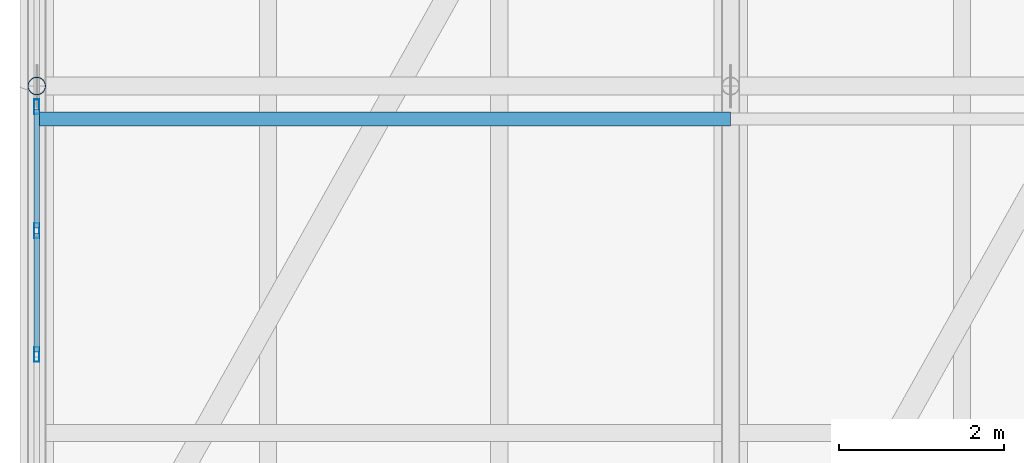
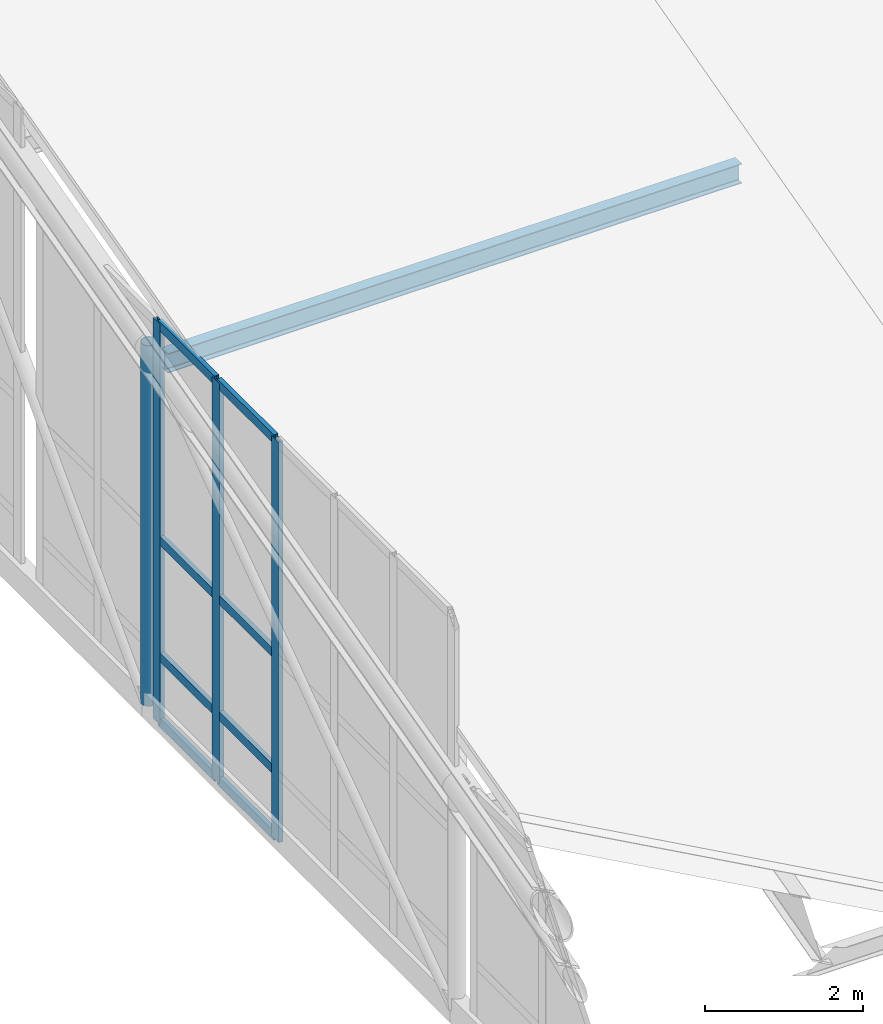
# One storey, part 7 of 43: 13 members, 1 element without a shape of its own.
"""IFC4 building model written with IfcOpenShell, lengths in metres."""

from ifc_helpers import new_model, si_unit, direction, frame, origin, origin_2d, place, context, subcontext, project, spatial, hollow_rectangle, hollow_circle, i_section, extrude, material, layer, layer_set, material_profile, profile_set, type_object, element, aggregate, save


model = new_model("IFC4")

# Units and contexts
model_context = context("Model", 3, precision=1e-05, world=origin(), true_north=direction((0.0, 1.0)))
body_context = subcontext(model_context, "Body", "Model", "MODEL_VIEW")
ifc_project = project(units=[si_unit("LENGTHUNIT", "METRE"), si_unit("AREAUNIT", "SQUARE_METRE"), si_unit("VOLUMEUNIT", "CUBIC_METRE"), si_unit("PLANEANGLEUNIT", "RADIAN"), si_unit("MASSUNIT", "GRAM", prefix="KILO")], contexts=[model_context])

# Site, building, storey
site_placement = place(None, origin())
site = spatial("IfcSite", under=ifc_project, at=site_placement, CompositionType="ELEMENT")
building_placement = place(site_placement, origin())
building = spatial("IfcBuilding", under=site, at=building_placement, Name="Selat Folded Stagehouse", CompositionType="ELEMENT")
storey_placement = place(building_placement, frame((0.0, 0.0, 32.39990234375)))
storey = spatial("IfcBuildingStorey", under=building, at=storey_placement, Name="RF", CompositionType="ELEMENT", Elevation=32.39990234375)

# Curtain wall, members
ifc_material_1 = material(Name="Aluminium 6063-T6", Category="aluminium")
ifc_layer = layer(ifc_material_1, 0.169921875)
ifc_layer_set = layer_set([ifc_layer], Name="Aluminium 6063-T6")
curtain_wall_type = type_object("IfcCurtainWallType", Name="CW-CRN-CLER", PredefinedType="NOTDEFINED", material=ifc_layer_set)
curtain_wall_placement = place(storey_placement, origin())
curtain_wall = element("IfcCurtainWall", 1, at=curtain_wall_placement, inside=storey, type_object=curtain_wall_type, Name="RF curtain wall CW-RF-W-01", PredefinedType="NOTDEFINED")
ifc_material_profile_1 = material_profile(ifc_material_1, hollow_rectangle(XDim=0.06494140625, YDim=0.179931640625, WallThickness=0.00390625, at=origin_2d()), Name="ALU 180x65x4.0")
ifc_profile_set_1 = profile_set([ifc_material_profile_1], Name="Aluminium 6063-T6")
member_type_1 = type_object("IfcMemberType", Name="CWM-MUL-180x65", PredefinedType="MULLION", material=ifc_profile_set_1)
member_1_placement = place(storey_placement, frame((8.39990234375, 35.75, 0.0), z_axis=(0.0, 0.0, 1.0), x_axis=(-1.0, 0.0, 0.0)))
member_1 = element("IfcMember", 2, at=member_1_placement, type_object=member_type_1, Name="CW-09 mullion 4", PredefinedType="MULLION", context=body_context, shape_type="SweptSolid", body=[
    extrude(hollow_rectangle(XDim=0.06494140625, YDim=0.179931640625, WallThickness=0.00390625, at=origin_2d()), origin(), (0.0, 0.0, 1.0), 6.2001953125),
])
member_2_placement = place(storey_placement, frame((8.39990234375, 37.25, 0.0), z_axis=(0.0, 0.0, 1.0), x_axis=(-1.0, 0.0, 0.0)))
member_2 = element("IfcMember", 3, at=member_2_placement, type_object=member_type_1, Name="CW-09 mullion 5", PredefinedType="MULLION", context=body_context, shape_type="SweptSolid", body=[
    extrude(hollow_rectangle(XDim=0.06494140625, YDim=0.179931640625, WallThickness=0.00390625, at=origin_2d()), origin(), (0.0, 0.0, 1.0), 6.2001953125),
])
member_3_placement = place(storey_placement, frame((8.39990234375, 38.75, 0.0), z_axis=(0.0, 0.0, 1.0), x_axis=(-1.0, 0.0, 0.0)))
member_3 = element("IfcMember", 4, at=member_3_placement, type_object=member_type_1, Name="CW-09 mullion 6", PredefinedType="MULLION", context=body_context, shape_type="SweptSolid", body=[
    extrude(hollow_rectangle(XDim=0.06494140625, YDim=0.179931640625, WallThickness=0.00390625, at=origin_2d()), origin(), (0.0, 0.0, 1.0), 6.2001953125),
])
ifc_material_profile_2 = material_profile(ifc_material_1, hollow_rectangle(XDim=0.06494140625, YDim=0.139892578125, WallThickness=0.00390625, at=origin_2d()), Name="ALU 140x65x4.0")
ifc_profile_set_2 = profile_set([ifc_material_profile_2], Name="Aluminium 6063-T6")
member_type_2 = type_object("IfcMemberType", Name="CWM-TRN-140x65", PredefinedType="USERDEFINED", material=ifc_profile_set_2)
member_4_placement = place(storey_placement, frame((8.39990234375, 35.782470703125, 0.03271484375), z_axis=(0.0, 1.0, 0.0), x_axis=(-1.0, 0.0, 0.0)))
member_4 = element("IfcMember", 5, at=member_4_placement, type_object=member_type_2, Name="CW-09 transom 4.1", ObjectType="TRANSOM", PredefinedType="USERDEFINED", context=body_context, shape_type="SweptSolid", body=[
    extrude(hollow_rectangle(XDim=0.06494140625, YDim=0.139892578125, WallThickness=0.00390625, at=origin_2d()), origin(), (0.0, 0.0, 1.0), 1.43505859375),
])
member_5_placement = place(storey_placement, frame((8.39990234375, 35.782470703125, 1.050048828125), z_axis=(0.0, 1.0, 0.0), x_axis=(-1.0, 0.0, 0.0)))
member_5 = element("IfcMember", 6, at=member_5_placement, type_object=member_type_2, Name="CW-09 transom 4.2", ObjectType="TRANSOM", PredefinedType="USERDEFINED", context=body_context, shape_type="SweptSolid", body=[
    extrude(hollow_rectangle(XDim=0.06494140625, YDim=0.139892578125, WallThickness=0.00390625, at=origin_2d()), origin(), (0.0, 0.0, 1.0), 1.43505859375),
])
member_6_placement = place(storey_placement, frame((8.39990234375, 35.782470703125, 2.85009765625), z_axis=(0.0, 1.0, 0.0), x_axis=(-1.0, 0.0, 0.0)))
member_6 = element("IfcMember", 7, at=member_6_placement, type_object=member_type_2, Name="CW-09 transom 4.3", ObjectType="TRANSOM", PredefinedType="USERDEFINED", context=body_context, shape_type="SweptSolid", body=[
    extrude(hollow_rectangle(XDim=0.06494140625, YDim=0.139892578125, WallThickness=0.00390625, at=origin_2d()), origin(), (0.0, 0.0, 1.0), 1.43505859375),
])
member_7_placement = place(storey_placement, frame((8.39990234375, 35.782470703125, 6.16748046875), z_axis=(0.0, 1.0, 0.0), x_axis=(-1.0, 0.0, 0.0)))
member_7 = element("IfcMember", 8, at=member_7_placement, type_object=member_type_2, Name="CW-09 transom 4.4", ObjectType="TRANSOM", PredefinedType="USERDEFINED", context=body_context, shape_type="SweptSolid", body=[
    extrude(hollow_rectangle(XDim=0.06494140625, YDim=0.139892578125, WallThickness=0.00390625, at=origin_2d()), origin(), (0.0, 0.0, 1.0), 1.43505859375),
])
member_8_placement = place(storey_placement, frame((8.39990234375, 37.282470703125, 0.03271484375), z_axis=(0.0, 1.0, 0.0), x_axis=(-1.0, 0.0, 0.0)))
member_8 = element("IfcMember", 9, at=member_8_placement, type_object=member_type_2, Name="CW-09 transom 5.1", ObjectType="TRANSOM", PredefinedType="USERDEFINED", context=body_context, shape_type="SweptSolid", body=[
    extrude(hollow_rectangle(XDim=0.06494140625, YDim=0.139892578125, WallThickness=0.00390625, at=origin_2d()), origin(), (0.0, 0.0, 1.0), 1.43505859375),
])
member_9_placement = place(storey_placement, frame((8.39990234375, 37.282470703125, 1.050048828125), z_axis=(0.0, 1.0, 0.0), x_axis=(-1.0, 0.0, 0.0)))
member_9 = element("IfcMember", 10, at=member_9_placement, type_object=member_type_2, Name="CW-09 transom 5.2", ObjectType="TRANSOM", PredefinedType="USERDEFINED", context=body_context, shape_type="SweptSolid", body=[
    extrude(hollow_rectangle(XDim=0.06494140625, YDim=0.139892578125, WallThickness=0.00390625, at=origin_2d()), origin(), (0.0, 0.0, 1.0), 1.43505859375),
])
member_10_placement = place(storey_placement, frame((8.39990234375, 37.282470703125, 2.85009765625), z_axis=(0.0, 1.0, 0.0), x_axis=(-1.0, 0.0, 0.0)))
member_10 = element("IfcMember", 11, at=member_10_placement, type_object=member_type_2, Name="CW-09 transom 5.3", ObjectType="TRANSOM", PredefinedType="USERDEFINED", context=body_context, shape_type="SweptSolid", body=[
    extrude(hollow_rectangle(XDim=0.06494140625, YDim=0.139892578125, WallThickness=0.00390625, at=origin_2d()), origin(), (0.0, 0.0, 1.0), 1.43505859375),
])
member_11_placement = place(storey_placement, frame((8.39990234375, 37.282470703125, 6.16748046875), z_axis=(0.0, 1.0, 0.0), x_axis=(-1.0, 0.0, 0.0)))
member_11 = element("IfcMember", 12, at=member_11_placement, type_object=member_type_2, Name="CW-09 transom 5.4", ObjectType="TRANSOM", PredefinedType="USERDEFINED", context=body_context, shape_type="SweptSolid", body=[
    extrude(hollow_rectangle(XDim=0.06494140625, YDim=0.139892578125, WallThickness=0.00390625, at=origin_2d()), origin(), (0.0, 0.0, 1.0), 1.43505859375),
])
aggregate(curtain_wall, [member_1, member_2, member_3, member_4, member_5, member_6, member_7, member_8, member_9, member_10, member_11])

# Members
ifc_material_2 = material(Name="Steel S355", Category="steel")
ifc_material_profile_3 = material_profile(ifc_material_2, hollow_circle(Radius=0.109619140625, WallThickness=0.010009765625, at=origin_2d()), Name="CHS 219.1x10.0")
ifc_profile_set_3 = profile_set([ifc_material_profile_3], Name="Steel S355")
member_type_3 = type_object("IfcMemberType", Name="MEM-POST-CHS219", PredefinedType="POST", material=ifc_profile_set_3)
member_12_placement = place(storey_placement, frame((8.39990234375, 39.0, 0.150146484375), z_axis=(0.0, 0.0, 1.0), x_axis=(1.0, 0.0, 0.0)))
element("IfcMember", 13, at=member_12_placement, inside=storey, type_object=member_type_3, Name="Folded-plate truss post 1.2", PredefinedType="POST", context=body_context, shape_type="SweptSolid", body=[
    extrude(hollow_circle(Radius=0.109619140625, WallThickness=0.010009765625, at=origin_2d()), origin(), (0.0, 0.0, 1.0), 5.575927734375),
])
ifc_material_profile_4 = material_profile(ifc_material_2, i_section(OverallWidth=0.1650390625, OverallDepth=0.303466796875, WebThickness=0.006103515625, FlangeThickness=0.01025390625, FilletRadius=0.0087890625, at=origin_2d()), Name="UKB 305x165x40")
ifc_profile_set_4 = profile_set([ifc_material_profile_4], Name="Steel S355")
member_type_4 = type_object("IfcMemberType", Name="MEM-PURLIN-UKB305", PredefinedType="PURLIN", material=ifc_profile_set_4)
member_13_placement = place(storey_placement, frame((8.39990234375, 38.60009765625, 5.673583984375), z_axis=(1.0, 0.0, 0.0), x_axis=(0.0, 1.0, 0.0)))
element("IfcMember", 14, at=member_13_placement, inside=storey, type_object=member_type_4, Name="Folded-plate roof purlin bay 1.3", PredefinedType="PURLIN", context=body_context, shape_type="SweptSolid", body=[
    extrude(i_section(OverallWidth=0.1650390625, OverallDepth=0.303466796875, WebThickness=0.006103515625, FlangeThickness=0.01025390625, FilletRadius=0.0087890625, at=origin_2d()), origin(), (0.0, 0.0, 1.0), 8.400146484375),
])

save(model, "model.ifc")
